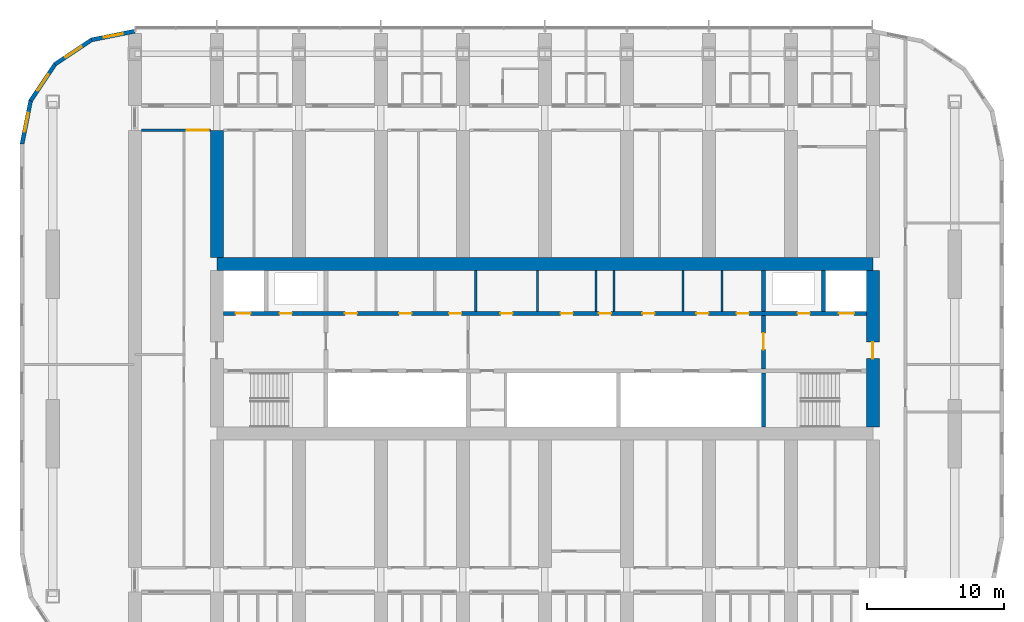
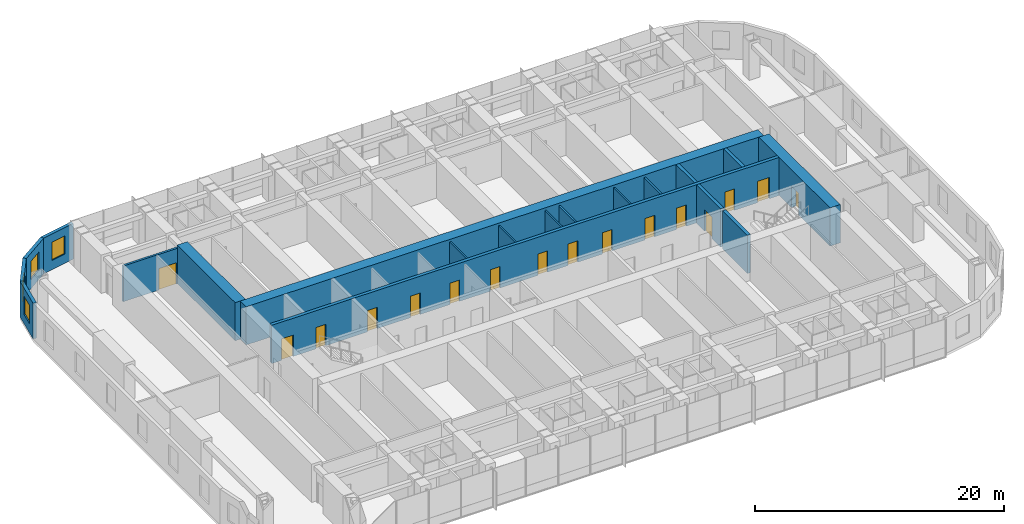
# One storey, part 12 of 21: 19 walls, 16 doors, 4 windows, 20 openings.
"""IFC4 building model written with IfcOpenShell, lengths in metres."""

from ifc_helpers import new_model, si_unit, direction, frame, frame_2d, origin, place, context, subcontext, project, spatial, polyline, rectangle, outline, extrude, material, layer, layer_set, type_object, element, fill, save


model = new_model("IFC4")

# Units and contexts
model_context = context("Model", 3, precision=1e-05, world=origin(), true_north=direction((0.0, 1.0)))
body_context = subcontext(model_context, "Body", "Model", "MODEL_VIEW")
ifc_project = project(units=[si_unit("LENGTHUNIT", "METRE"), si_unit("AREAUNIT", "SQUARE_METRE"), si_unit("VOLUMEUNIT", "CUBIC_METRE"), si_unit("PLANEANGLEUNIT", "RADIAN"), si_unit("MASSUNIT", "GRAM", prefix="KILO")], contexts=[model_context])

# Site, building, storey
site_placement = place(None, origin())
site = spatial("IfcSite", under=ifc_project, at=site_placement, CompositionType="ELEMENT")
building_placement = place(site_placement, origin())
building = spatial("IfcBuilding", under=site, at=building_placement, Name="Orbita Commons", CompositionType="ELEMENT")
storey_placement = place(building_placement, frame((0.0, 0.0, 91.89990234375)))
storey = spatial("IfcBuildingStorey", under=building, at=storey_placement, Name="L22", CompositionType="ELEMENT", Elevation=91.89990234375)

# Wall, openings, doors
ifc_material_1 = material(Name="Concrete C50/60", Category="concrete")
ifc_layer_1 = layer(ifc_material_1, 0.300048828125)
ifc_layer_set_1 = layer_set([ifc_layer_1], Name="Concrete C50/60")
wall_type_1 = type_object("IfcWallType", Name="Core inner wall 300 C50/60", PredefinedType="SHEAR", material=ifc_layer_set_1)
wall_1_placement = place(storey_placement, frame((18.47509765625, 34.60009765625, 0.0), z_axis=(0.0, 0.0, 1.0), x_axis=(1.0, 0.0, 0.0)))
wall_1 = element("IfcWall", 1, at=wall_1_placement, inside=storey, type_object=wall_type_1, Name="Lobby wall north L22", PredefinedType="SHEAR", context=body_context, shape_type="SweptSolid", body=[
    extrude(rectangle(XDim=47.0498046875, YDim=0.300048828125, at=frame_2d((23.52490234375, 0.0))), origin(), (0.0, 0.0, 1.0), 3.75),
])
opening_1_placement = place(wall_1_placement, frame((0.89990234375, 0.0, 0.0)))
opening_1 = element("IfcOpeningElement", 2, at=opening_1_placement, cuts=wall_1, Name="Opening LD01", PredefinedType="OPENING", context=body_context, shape_type="SweptSolid", body=[
    extrude(rectangle(XDim=1.10009765625, YDim=2.10009765625, at=frame_2d((0.550048828125, 1.050048828125))), frame((0.0, 0.159912109375, 0.0), z_axis=(0.0, -1.0, 0.0), x_axis=(1.0, 0.0, 0.0)), (0.0, 0.0, 1.0), 0.320068359375),
])
opening_2_placement = place(wall_1_placement, frame((45.050048828125, 0.0, 0.0)))
opening_2 = element("IfcOpeningElement", 3, at=opening_2_placement, cuts=wall_1, Name="Opening LD01", PredefinedType="OPENING", context=body_context, shape_type="SweptSolid", body=[
    extrude(rectangle(XDim=1.10009765625, YDim=2.10009765625, at=frame_2d((0.550048828125, 1.050048828125))), frame((0.0, 0.159912109375, 0.0), z_axis=(0.0, -1.0, 0.0), x_axis=(1.0, 0.0, 0.0)), (0.0, 0.0, 1.0), 0.320068359375),
])
opening_3_placement = place(wall_1_placement, frame((4.125, 0.0, 0.0)))
opening_3 = element("IfcOpeningElement", 4, at=opening_3_placement, cuts=wall_1, Name="Opening D03", PredefinedType="OPENING", context=body_context, shape_type="SweptSolid", body=[
    extrude(rectangle(XDim=0.89990234375, YDim=2.10009765625, at=frame_2d((0.449951171875, 1.050048828125))), frame((0.0, 0.159912109375, 0.0), z_axis=(0.0, -1.0, 0.0), x_axis=(1.0, 0.0, 0.0)), (0.0, 0.0, 1.0), 0.320068359375),
])
opening_4_placement = place(wall_1_placement, frame((42.02490234375, 0.0, 0.0)))
opening_4 = element("IfcOpeningElement", 5, at=opening_4_placement, cuts=wall_1, Name="Opening D03", PredefinedType="OPENING", context=body_context, shape_type="SweptSolid", body=[
    extrude(rectangle(XDim=0.89990234375, YDim=2.10009765625, at=frame_2d((0.449951171875, 1.050048828125))), frame((0.0, 0.159912109375, 0.0), z_axis=(0.0, -1.0, 0.0), x_axis=(1.0, 0.0, 0.0)), (0.0, 0.0, 1.0), 0.320068359375),
])
opening_5_placement = place(wall_1_placement, frame((8.900390625, 0.0, 0.0)))
opening_5 = element("IfcOpeningElement", 6, at=opening_5_placement, cuts=wall_1, Name="Opening D05", PredefinedType="OPENING", context=body_context, shape_type="SweptSolid", body=[
    extrude(rectangle(XDim=0.89990234375, YDim=2.10009765625, at=frame_2d((0.449951171875, 1.050048828125))), frame((0.0, 0.159912109375, 0.0), z_axis=(0.0, -1.0, 0.0), x_axis=(1.0, 0.0, 0.0)), (0.0, 0.0, 1.0), 0.320068359375),
])
opening_6_placement = place(wall_1_placement, frame((12.873779296875, 0.0, 0.0)))
opening_6 = element("IfcOpeningElement", 7, at=opening_6_placement, cuts=wall_1, Name="Opening D03", PredefinedType="OPENING", context=body_context, shape_type="SweptSolid", body=[
    extrude(rectangle(XDim=0.89990234375, YDim=2.10009765625, at=frame_2d((0.449951171875, 1.050048828125))), frame((0.0, 0.159912109375, 0.0), z_axis=(0.0, -1.0, 0.0), x_axis=(1.0, 0.0, 0.0)), (0.0, 0.0, 1.0), 0.320068359375),
])
opening_7_placement = place(wall_1_placement, frame((16.521240234375, 0.0, 0.0)))
opening_7 = element("IfcOpeningElement", 8, at=opening_7_placement, cuts=wall_1, Name="Opening D03", PredefinedType="OPENING", context=body_context, shape_type="SweptSolid", body=[
    extrude(rectangle(XDim=0.89990234375, YDim=2.10009765625, at=frame_2d((0.449951171875, 1.050048828125))), frame((0.0, 0.159912109375, 0.0), z_axis=(0.0, -1.0, 0.0), x_axis=(1.0, 0.0, 0.0)), (0.0, 0.0, 1.0), 0.320068359375),
])
opening_8_placement = place(wall_1_placement, frame((20.27978515625, 0.0, 0.0)))
opening_8 = element("IfcOpeningElement", 9, at=opening_8_placement, cuts=wall_1, Name="Opening D03", PredefinedType="OPENING", context=body_context, shape_type="SweptSolid", body=[
    extrude(rectangle(XDim=0.89990234375, YDim=2.10009765625, at=frame_2d((0.449951171875, 1.050048828125))), frame((0.0, 0.159912109375, 0.0), z_axis=(0.0, -1.0, 0.0), x_axis=(1.0, 0.0, 0.0)), (0.0, 0.0, 1.0), 0.320068359375),
])
opening_9_placement = place(wall_1_placement, frame((24.685791015625, 0.0, 0.0)))
opening_9 = element("IfcOpeningElement", 10, at=opening_9_placement, cuts=wall_1, Name="Opening D03", PredefinedType="OPENING", context=body_context, shape_type="SweptSolid", body=[
    extrude(rectangle(XDim=0.89990234375, YDim=2.10009765625, at=frame_2d((0.449951171875, 1.050048828125))), frame((0.0, 0.159912109375, 0.0), z_axis=(0.0, -1.0, 0.0), x_axis=(1.0, 0.0, 0.0)), (0.0, 0.0, 1.0), 0.320068359375),
])
opening_10_placement = place(wall_1_placement, frame((27.4833984375, 0.0, 0.0)))
opening_10 = element("IfcOpeningElement", 11, at=opening_10_placement, cuts=wall_1, Name="Opening D03", PredefinedType="OPENING", context=body_context, shape_type="SweptSolid", body=[
    extrude(rectangle(XDim=0.89990234375, YDim=2.10009765625, at=frame_2d((0.449951171875, 1.050048828125))), frame((0.0, 0.159912109375, 0.0), z_axis=(0.0, -1.0, 0.0), x_axis=(1.0, 0.0, 0.0)), (0.0, 0.0, 1.0), 0.320068359375),
])
opening_11_placement = place(wall_1_placement, frame((30.666259765625, 0.0, 0.0)))
opening_11 = element("IfcOpeningElement", 12, at=opening_11_placement, cuts=wall_1, Name="Opening D05", PredefinedType="OPENING", context=body_context, shape_type="SweptSolid", body=[
    extrude(rectangle(XDim=0.89990234375, YDim=2.10009765625, at=frame_2d((0.449951171875, 1.050048828125))), frame((0.0, 0.159912109375, 0.0), z_axis=(0.0, -1.0, 0.0), x_axis=(1.0, 0.0, 0.0)), (0.0, 0.0, 1.0), 0.320068359375),
])
opening_12_placement = place(wall_1_placement, frame((34.6171875, 0.0, 0.0)))
opening_12 = element("IfcOpeningElement", 13, at=opening_12_placement, cuts=wall_1, Name="Opening D03", PredefinedType="OPENING", context=body_context, shape_type="SweptSolid", body=[
    extrude(rectangle(XDim=0.89990234375, YDim=2.10009765625, at=frame_2d((0.449951171875, 1.050048828125))), frame((0.0, 0.159912109375, 0.0), z_axis=(0.0, -1.0, 0.0), x_axis=(1.0, 0.0, 0.0)), (0.0, 0.0, 1.0), 0.320068359375),
])
opening_13_placement = place(wall_1_placement, frame((37.555419921875, 0.0, 0.0)))
opening_13 = element("IfcOpeningElement", 14, at=opening_13_placement, cuts=wall_1, Name="Opening D03", PredefinedType="OPENING", context=body_context, shape_type="SweptSolid", body=[
    extrude(rectangle(XDim=0.89990234375, YDim=2.10009765625, at=frame_2d((0.449951171875, 1.050048828125))), frame((0.0, 0.159912109375, 0.0), z_axis=(0.0, -1.0, 0.0), x_axis=(1.0, 0.0, 0.0)), (0.0, 0.0, 1.0), 0.320068359375),
])
ifc_material_2 = material(Name="Steel-faced fire door leaf", Category="steel")
door_type_1 = type_object("IfcDoorType", Name="Firefighting lift landing door 1100x2100", OperationType="DOUBLE_DOOR_SLIDING", PredefinedType="DOOR", material=ifc_material_2)
door_1_placement = place(opening_1_placement, origin())
door_1 = element("IfcDoor", 15, at=door_1_placement, inside=storey, type_object=door_type_1, Name="Firefighting lift FL1 landing door", OperationType="DOUBLE_DOOR_SLIDING", OverallHeight=2.10009765625, OverallWidth=1.10009765625, PredefinedType="DOOR", context=body_context, shape_type="SweptSolid", body=[
    extrude(rectangle(XDim=1.10009765625, YDim=2.10009765625, at=frame_2d((0.550048828125, 1.050048828125))), frame((0.0, 0.02490234375, 0.0), z_axis=(0.0, -1.0, 0.0), x_axis=(1.0, 0.0, 0.0)), (0.0, 0.0, 1.0), 0.050048828125),
])
fill(opening_1, door_1)
door_2_placement = place(opening_2_placement, origin())
door_2 = element("IfcDoor", 16, at=door_2_placement, inside=storey, type_object=door_type_1, Name="Firefighting lift FL2 landing door", OperationType="DOUBLE_DOOR_SLIDING", OverallHeight=2.10009765625, OverallWidth=1.10009765625, PredefinedType="DOOR", context=body_context, shape_type="SweptSolid", body=[
    extrude(rectangle(XDim=1.10009765625, YDim=2.10009765625, at=frame_2d((0.550048828125, 1.050048828125))), frame((0.0, 0.02490234375, 0.0), z_axis=(0.0, -1.0, 0.0), x_axis=(1.0, 0.0, 0.0)), (0.0, 0.0, 1.0), 0.050048828125),
])
fill(opening_2, door_2)
ifc_material_3 = material(Name="Steel-faced fire door leaf", Category="steel")
door_type_2 = type_object("IfcDoorType", Name="Service door 20 min 900x2100", OperationType="SINGLE_SWING_LEFT", PredefinedType="DOOR", material=ifc_material_3)
door_3_placement = place(opening_5_placement, origin())
door_3 = element("IfcDoor", 17, at=door_3_placement, inside=storey, type_object=door_type_2, Name="Accessible WC door", OperationType="SINGLE_SWING_LEFT", OverallHeight=2.10009765625, OverallWidth=0.89990234375, PredefinedType="DOOR", context=body_context, shape_type="SweptSolid", body=[
    extrude(rectangle(XDim=0.89990234375, YDim=2.10009765625, at=frame_2d((0.449951171875, 1.050048828125))), frame((0.0, 0.02490234375, 0.0), z_axis=(0.0, -1.0, 0.0), x_axis=(1.0, 0.0, 0.0)), (0.0, 0.0, 1.0), 0.050048828125),
])
fill(opening_5, door_3)
door_4_placement = place(opening_11_placement, origin())
door_4 = element("IfcDoor", 18, at=door_4_placement, inside=storey, type_object=door_type_2, Name="Guest pantry door", OperationType="SINGLE_SWING_LEFT", OverallHeight=2.10009765625, OverallWidth=0.89990234375, PredefinedType="DOOR", context=body_context, shape_type="SweptSolid", body=[
    extrude(rectangle(XDim=0.89990234375, YDim=2.10009765625, at=frame_2d((0.449951171875, 1.050048828125))), frame((0.0, 0.02490234375, 0.0), z_axis=(0.0, -1.0, 0.0), x_axis=(1.0, 0.0, 0.0)), (0.0, 0.0, 1.0), 0.050048828125),
])
fill(opening_11, door_4)
ifc_material_4 = material(Name="Steel-faced fire door leaf", Category="steel")
door_type_3 = type_object("IfcDoorType", Name="Shaft access door 90 min 900x2100", OperationType="SINGLE_SWING_LEFT", PredefinedType="DOOR", material=ifc_material_4)
door_5_placement = place(opening_3_placement, origin())
door_5 = element("IfcDoor", 19, at=door_5_placement, inside=storey, type_object=door_type_3, Name="Riser door west", OperationType="SINGLE_SWING_LEFT", OverallHeight=2.10009765625, OverallWidth=0.89990234375, PredefinedType="DOOR", context=body_context, shape_type="SweptSolid", body=[
    extrude(rectangle(XDim=0.89990234375, YDim=2.10009765625, at=frame_2d((0.449951171875, 1.050048828125))), frame((0.0, 0.02490234375, 0.0), z_axis=(0.0, -1.0, 0.0), x_axis=(1.0, 0.0, 0.0)), (0.0, 0.0, 1.0), 0.050048828125),
])
fill(opening_3, door_5)
door_6_placement = place(opening_4_placement, origin())
door_6 = element("IfcDoor", 20, at=door_6_placement, inside=storey, type_object=door_type_3, Name="Riser door east", OperationType="SINGLE_SWING_LEFT", OverallHeight=2.10009765625, OverallWidth=0.89990234375, PredefinedType="DOOR", context=body_context, shape_type="SweptSolid", body=[
    extrude(rectangle(XDim=0.89990234375, YDim=2.10009765625, at=frame_2d((0.449951171875, 1.050048828125))), frame((0.0, 0.02490234375, 0.0), z_axis=(0.0, -1.0, 0.0), x_axis=(1.0, 0.0, 0.0)), (0.0, 0.0, 1.0), 0.050048828125),
])
fill(opening_4, door_6)
door_7_placement = place(opening_6_placement, origin())
door_7 = element("IfcDoor", 21, at=door_7_placement, inside=storey, type_object=door_type_3, Name="Refuse chute room door", OperationType="SINGLE_SWING_LEFT", OverallHeight=2.10009765625, OverallWidth=0.89990234375, PredefinedType="DOOR", context=body_context, shape_type="SweptSolid", body=[
    extrude(rectangle(XDim=0.89990234375, YDim=2.10009765625, at=frame_2d((0.449951171875, 1.050048828125))), frame((0.0, 0.02490234375, 0.0), z_axis=(0.0, -1.0, 0.0), x_axis=(1.0, 0.0, 0.0)), (0.0, 0.0, 1.0), 0.050048828125),
])
fill(opening_6, door_7)
door_8_placement = place(opening_7_placement, origin())
door_8 = element("IfcDoor", 22, at=door_8_placement, inside=storey, type_object=door_type_3, Name="Electrical riser room door", OperationType="SINGLE_SWING_LEFT", OverallHeight=2.10009765625, OverallWidth=0.89990234375, PredefinedType="DOOR", context=body_context, shape_type="SweptSolid", body=[
    extrude(rectangle(XDim=0.89990234375, YDim=2.10009765625, at=frame_2d((0.449951171875, 1.050048828125))), frame((0.0, 0.02490234375, 0.0), z_axis=(0.0, -1.0, 0.0), x_axis=(1.0, 0.0, 0.0)), (0.0, 0.0, 1.0), 0.050048828125),
])
fill(opening_7, door_8)
door_9_placement = place(opening_8_placement, origin())
door_9 = element("IfcDoor", 23, at=door_9_placement, inside=storey, type_object=door_type_3, Name="IT room door", OperationType="SINGLE_SWING_LEFT", OverallHeight=2.10009765625, OverallWidth=0.89990234375, PredefinedType="DOOR", context=body_context, shape_type="SweptSolid", body=[
    extrude(rectangle(XDim=0.89990234375, YDim=2.10009765625, at=frame_2d((0.449951171875, 1.050048828125))), frame((0.0, 0.02490234375, 0.0), z_axis=(0.0, -1.0, 0.0), x_axis=(1.0, 0.0, 0.0)), (0.0, 0.0, 1.0), 0.050048828125),
])
fill(opening_8, door_9)
door_10_placement = place(opening_9_placement, origin())
door_10 = element("IfcDoor", 24, at=door_10_placement, inside=storey, type_object=door_type_3, Name="Communications room door", OperationType="SINGLE_SWING_LEFT", OverallHeight=2.10009765625, OverallWidth=0.89990234375, PredefinedType="DOOR", context=body_context, shape_type="SweptSolid", body=[
    extrude(rectangle(XDim=0.89990234375, YDim=2.10009765625, at=frame_2d((0.449951171875, 1.050048828125))), frame((0.0, 0.02490234375, 0.0), z_axis=(0.0, -1.0, 0.0), x_axis=(1.0, 0.0, 0.0)), (0.0, 0.0, 1.0), 0.050048828125),
])
fill(opening_9, door_10)
door_11_placement = place(opening_10_placement, origin())
door_11 = element("IfcDoor", 25, at=door_11_placement, inside=storey, type_object=door_type_3, Name="Stair pressurisation duct door", OperationType="SINGLE_SWING_LEFT", OverallHeight=2.10009765625, OverallWidth=0.89990234375, PredefinedType="DOOR", context=body_context, shape_type="SweptSolid", body=[
    extrude(rectangle(XDim=0.89990234375, YDim=2.10009765625, at=frame_2d((0.449951171875, 1.050048828125))), frame((0.0, 0.02490234375, 0.0), z_axis=(0.0, -1.0, 0.0), x_axis=(1.0, 0.0, 0.0)), (0.0, 0.0, 1.0), 0.050048828125),
])
fill(opening_10, door_11)
door_12_placement = place(opening_12_placement, origin())
door_12 = element("IfcDoor", 26, at=door_12_placement, inside=storey, type_object=door_type_3, Name="Linen store door", OperationType="SINGLE_SWING_LEFT", OverallHeight=2.10009765625, OverallWidth=0.89990234375, PredefinedType="DOOR", context=body_context, shape_type="SweptSolid", body=[
    extrude(rectangle(XDim=0.89990234375, YDim=2.10009765625, at=frame_2d((0.449951171875, 1.050048828125))), frame((0.0, 0.02490234375, 0.0), z_axis=(0.0, -1.0, 0.0), x_axis=(1.0, 0.0, 0.0)), (0.0, 0.0, 1.0), 0.050048828125),
])
fill(opening_12, door_12)
door_13_placement = place(opening_13_placement, origin())
door_13 = element("IfcDoor", 27, at=door_13_placement, inside=storey, type_object=door_type_3, Name="Cleaners store door", OperationType="SINGLE_SWING_LEFT", OverallHeight=2.10009765625, OverallWidth=0.89990234375, PredefinedType="DOOR", context=body_context, shape_type="SweptSolid", body=[
    extrude(rectangle(XDim=0.89990234375, YDim=2.10009765625, at=frame_2d((0.449951171875, 1.050048828125))), frame((0.0, 0.02490234375, 0.0), z_axis=(0.0, -1.0, 0.0), x_axis=(1.0, 0.0, 0.0)), (0.0, 0.0, 1.0), 0.050048828125),
])
fill(opening_13, door_13)

# Wall
wall_2_placement = place(storey_placement, frame((58.0, 26.27490234375, 0.0), z_axis=(0.0, 0.0, 1.0), x_axis=(0.0, 1.0, 0.0)))
element("IfcWall", 28, at=wall_2_placement, inside=storey, type_object=wall_type_1, Name="Stair S2 wall L22", PredefinedType="SHEAR", context=body_context, shape_type="SweptSolid", body=[
    extrude(rectangle(XDim=3.97509765625, YDim=0.300048828125, at=frame_2d((1.987548828125, 0.0))), origin(), (0.0, 0.0, 1.0), 3.75),
])

# Wall, opening, door
wall_3_placement = place(storey_placement, frame((58.0, 30.550048828125, 0.0), z_axis=(0.0, 0.0, 1.0), x_axis=(0.0, 1.0, 0.0)))
wall_3 = element("IfcWall", 29, at=wall_3_placement, inside=storey, type_object=wall_type_1, Name="Firefighting lobby wall east L22", PredefinedType="SHEAR", context=body_context, shape_type="SweptSolid", body=[
    extrude(rectangle(XDim=3.89990234375, YDim=0.300048828125, at=frame_2d((1.949951171875, 0.0))), origin(), (0.0, 0.0, 1.0), 3.75),
])
opening_14_placement = place(wall_3_placement, frame((1.39990234375, 0.0, 0.0)))
opening_14 = element("IfcOpeningElement", 30, at=opening_14_placement, cuts=wall_3, Name="Opening D04", PredefinedType="OPENING", context=body_context, shape_type="SweptSolid", body=[
    extrude(rectangle(XDim=1.199951171875, YDim=2.10009765625, at=frame_2d((0.60009765625, 1.050048828125))), frame((0.0, 0.159912109375, 0.0), z_axis=(0.0, -1.0, 0.0), x_axis=(1.0, 0.0, 0.0)), (0.0, 0.0, 1.0), 0.320068359375),
])
ifc_material_5 = material(Name="Steel-faced fire door leaf", Category="steel")
door_type_4 = type_object("IfcDoorType", Name="Service door 20 min 1200x2100", OperationType="SINGLE_SWING_LEFT", PredefinedType="DOOR", material=ifc_material_5)
door_14_placement = place(opening_14_placement, origin())
door_14 = element("IfcDoor", 31, at=door_14_placement, inside=storey, type_object=door_type_4, Name="Lift lobby door east", OperationType="SINGLE_SWING_LEFT", OverallHeight=2.10009765625, OverallWidth=1.199951171875, PredefinedType="DOOR", context=body_context, shape_type="SweptSolid", body=[
    extrude(rectangle(XDim=1.199951171875, YDim=2.10009765625, at=frame_2d((0.60009765625, 1.050048828125))), frame((0.0, 0.02490234375, 0.0), z_axis=(0.0, -1.0, 0.0), x_axis=(1.0, 0.0, 0.0)), (0.0, 0.0, 1.0), 0.050048828125),
])
fill(opening_14, door_14)

# Walls
for number, where, z_axis, x_axis, name in (
    (32, (62.39990234375, 34.75, 0.0), (0.0, 0.0, 1.0), (0.0, 1.0, 0.0), "Firefighting lift FL2 shaft wall L22"),
    (33, (58.0, 34.75, 0.0), (0.0, 0.0, 1.0), (0.0, 1.0, 0.0), "Riser wall east L22"),
):
    element("IfcWall", number, at=place(storey_placement, frame(where, z_axis=z_axis, x_axis=x_axis)), inside=storey, type_object=wall_type_1, Name=name, PredefinedType="SHEAR", context=body_context, shape_type="SweptSolid", body=[
        extrude(rectangle(XDim=2.97509765625, YDim=0.300048828125, at=frame_2d((1.487548828125, 0.0))), origin(), (0.0, 0.0, 1.0), 3.75),
    ])
ifc_material_6 = material(Name="Concrete blockwork", Category="masonry")
ifc_layer_2 = layer(ifc_material_6, 0.14990234375)
ifc_layer_set_2 = layer_set([ifc_layer_2], Name="Concrete blockwork")
wall_type_2 = type_object("IfcWallType", Name="Core partition 150 blockwork", PredefinedType="SOLIDWALL", material=ifc_layer_set_2)
for number, where, z_axis, x_axis, name in (
    (34, (36.9462890625, 34.75, 0.0), (0.0, 0.0, 1.0), (0.0, 1.0, 0.0), "Core partition 150 blockwork L22"),
    (35, (41.463134765625, 34.75, 0.0), (0.0, 0.0, 1.0), (0.0, 1.0, 0.0), "Core partition 150 blockwork L22"),
    (36, (45.75830078125, 34.75, 0.0), (0.0, 0.0, 1.0), (0.0, 1.0, 0.0), "Core partition 150 blockwork L22"),
    (37, (47.058349609375, 34.75, 0.0), (0.0, 0.0, 1.0), (0.0, 1.0, 0.0), "Core partition 150 blockwork L22"),
    (38, (52.123779296875, 34.75, 0.0), (0.0, 0.0, 1.0), (0.0, 1.0, 0.0), "Core partition 150 blockwork L22"),
    (39, (54.960693359375, 34.75, 0.0), (0.0, 0.0, 1.0), (0.0, 1.0, 0.0), "Core partition 150 blockwork L22"),
):
    element("IfcWall", number, at=place(storey_placement, frame(where, z_axis=z_axis, x_axis=x_axis)), inside=storey, type_object=wall_type_2, Name=name, PredefinedType="SOLIDWALL", context=body_context, shape_type="SweptSolid", body=[
        extrude(rectangle(XDim=2.97509765625, YDim=0.14990234375, at=frame_2d((1.487548828125, 0.0))), origin(), (0.0, 0.0, 1.0), 3.5),
    ])
ifc_material_7 = material(Name="Concrete C50/60", Category="concrete")
ifc_layer_3 = layer(ifc_material_7, 0.949951171875)
ifc_layer_set_3 = layer_set([ifc_layer_3], Name="Concrete C50/60")
wall_type_3 = type_object("IfcWallType", Name="Core wall 950 C50/60", PredefinedType="SHEAR", material=ifc_layer_set_3)
wall_4_placement = place(storey_placement, frame((18.0, 38.199951171875, 0.0), z_axis=(0.0, 0.0, 1.0), x_axis=(1.0, 0.0, 0.0)))
element("IfcWall", 40, at=wall_4_placement, inside=storey, type_object=wall_type_3, Name="Core spine wall north L22", PredefinedType="SHEAR", context=body_context, shape_type="SweptSolid", body=[
    extrude(rectangle(XDim=48.0, YDim=0.949951171875, at=frame_2d((24.0, 0.0))), origin(), (0.0, 0.0, 1.0), 3.75),
])

# Wall, opening, door
wall_5_placement = place(storey_placement, frame((66.0, 26.27490234375, 0.0), z_axis=(0.0, 0.0, 1.0), x_axis=(0.0, 1.0, 0.0)))
wall_5 = element("IfcWall", 41, at=wall_5_placement, inside=storey, type_object=wall_type_3, Name="Core end wall east L22", PredefinedType="SHEAR", context=body_context, shape_type="SweptSolid", body=[
    extrude(rectangle(XDim=11.4501953125, YDim=0.949951171875, at=frame_2d((5.72509765625, 0.0))), origin(), (0.0, 0.0, 1.0), 3.75),
])
opening_15_placement = place(wall_5_placement, frame((5.02490234375, 0.0, 0.0)))
opening_15 = element("IfcOpeningElement", 42, at=opening_15_placement, cuts=wall_5, Name="Opening D01", PredefinedType="OPENING", context=body_context, shape_type="SweptSolid", body=[
    extrude(rectangle(XDim=1.199951171875, YDim=2.10009765625, at=frame_2d((0.60009765625, 1.050048828125))), frame((0.0, 0.48486328125, 0.0), z_axis=(0.0, -1.0, 0.0), x_axis=(1.0, 0.0, 0.0)), (0.0, 0.0, 1.0), 0.969970703125),
])
ifc_material_8 = material(Name="Steel-faced fire door leaf", Category="steel")
door_type_5 = type_object("IfcDoorType", Name="Fire door 90 min 1200x2100", OperationType="SINGLE_SWING_LEFT", PredefinedType="DOOR", material=ifc_material_8)
door_15_placement = place(opening_15_placement, origin())
door_15 = element("IfcDoor", 43, at=door_15_placement, inside=storey, type_object=door_type_5, Name="Firefighting lobby east door", OperationType="SINGLE_SWING_LEFT", OverallHeight=2.10009765625, OverallWidth=1.199951171875, PredefinedType="DOOR", context=body_context, shape_type="SweptSolid", body=[
    extrude(rectangle(XDim=1.199951171875, YDim=2.10009765625, at=frame_2d((0.60009765625, 1.050048828125))), frame((0.0, 0.02490234375, 0.0), z_axis=(0.0, -1.0, 0.0), x_axis=(1.0, 0.0, 0.0)), (0.0, 0.0, 1.0), 0.050048828125),
])
fill(opening_15, door_15)

ifc_material_9 = material(Name="Hollow concrete block 200", Category="concrete")
ifc_layer_4 = layer(ifc_material_9, 0.199951171875)
ifc_layer_set_4 = layer_set([ifc_layer_4], Name="Hollow concrete block 200")
wall_type_4 = type_object("IfcWallType", Name="Corridor wall 200 hollow concrete block", PredefinedType="SOLIDWALL", material=ifc_layer_set_4)
wall_6_placement = place(storey_placement, frame((12.47509765625, 48.0, 0.0), z_axis=(0.0, 0.0, 1.0), x_axis=(1.0, 0.0, 0.0)))
wall_6 = element("IfcWall", 44, at=wall_6_placement, inside=storey, type_object=wall_type_4, Name="Corridor wall 200 hollow concrete block L22", PredefinedType="SOLIDWALL", context=body_context, shape_type="SweptSolid", body=[
    extrude(rectangle(XDim=5.0498046875, YDim=0.199951171875, at=frame_2d((2.52490234375, 0.0))), origin(), (0.0, 0.0, 1.0), 3.5),
])
opening_16_placement = place(wall_6_placement, frame((3.324951171875, 0.0, 0.0)))
opening_16 = element("IfcOpeningElement", 45, at=opening_16_placement, cuts=wall_6, Name="Opening D10", PredefinedType="OPENING", context=body_context, shape_type="SweptSolid", body=[
    extrude(rectangle(XDim=1.60009765625, YDim=2.10009765625, at=frame_2d((0.800048828125, 1.050048828125))), frame((0.0, 0.10986328125, 0.0), z_axis=(0.0, -1.0, 0.0), x_axis=(1.0, 0.0, 0.0)), (0.0, 0.0, 1.0), 0.219970703125),
])
ifc_material_10 = material(Name="Steel-faced fire door leaf", Category="steel")
door_type_6 = type_object("IfcDoorType", Name="Double corridor door 20 min 1600x2100", OperationType="DOUBLE_DOOR_SINGLE_SWING", PredefinedType="DOOR", material=ifc_material_10)
door_16_placement = place(opening_16_placement, origin())
door_16 = element("IfcDoor", 46, at=door_16_placement, inside=storey, type_object=door_type_6, Name="Cross corridor doors", OperationType="DOUBLE_DOOR_SINGLE_SWING", OverallHeight=2.10009765625, OverallWidth=1.60009765625, PredefinedType="DOOR", context=body_context, shape_type="SweptSolid", body=[
    extrude(rectangle(XDim=1.60009765625, YDim=2.10009765625, at=frame_2d((0.800048828125, 1.050048828125))), frame((0.0, 0.02490234375, 0.0), z_axis=(0.0, -1.0, 0.0), x_axis=(1.0, 0.0, 0.0)), (0.0, 0.0, 1.0), 0.050048828125),
])
fill(opening_16, door_16)

# Wall
ifc_material_11 = material(Name="Concrete C50/60", Category="concrete")
ifc_layer_5 = layer(ifc_material_11, 0.949951171875)
ifc_layer_set_5 = layer_set([ifc_layer_5], Name="Concrete C50/60")
wall_type_5 = type_object("IfcWallType", Name="Cross wall 950 C50/60", PredefinedType="SHEAR", material=ifc_layer_set_5)
wall_7_placement = place(storey_placement, frame((18.0, 38.675048828125, 0.0), z_axis=(0.0, 0.0, 1.0), x_axis=(0.0, 1.0, 0.0)))
element("IfcWall", 47, at=wall_7_placement, inside=storey, type_object=wall_type_5, Name="Cross wall 4 north inner L22", PredefinedType="SHEAR", context=body_context, shape_type="SweptSolid", body=[
    extrude(rectangle(XDim=9.324951171875, YDim=0.949951171875, at=frame_2d((4.66259765625, 0.0))), origin(), (0.0, 0.0, 1.0), 3.75),
])

# Wall, opening, window
ifc_material_12 = material(Name="Precast concrete C40/50, white board-marked finish", Category="concrete")
ifc_layer_6 = layer(ifc_material_12, 0.300048828125)
ifc_layer_set_6 = layer_set([ifc_layer_6], Name="Precast concrete C40/50, white board-marked finish")
wall_type_6 = type_object("IfcWallType", Name="Precast concrete end shield 300", PredefinedType="SOLIDWALL", material=ifc_layer_set_6)
wall_8_placement = place(storey_placement, frame((12.0, 55.25, 0.0), z_axis=(0.0, 0.0, 1.0), x_axis=(-0.980787251524, -0.195080412259, 0.0)))
wall_8 = element("IfcWall", 48, at=wall_8_placement, inside=storey, type_object=wall_type_6, Name="End shield NW chord 1 L22", PredefinedType="SOLIDWALL", context=body_context, shape_type="SweptSolid", body=[
    extrude(outline(polyline([(-0.02978515625, -0.14990234375), (3.24853515625, -0.14990234375), (3.18896484375, 0.14990234375), (0.02978515625, 0.14990234375), (-0.02978515625, -0.14990234375)])), origin(), (0.0, 0.0, 1.0), 3.5),
])
opening_17_placement = place(wall_8_placement, frame((0.909423828125, 0.0, 0.89990234375)))
opening_17 = element("IfcOpeningElement", 49, at=opening_17_placement, cuts=wall_8, Name="Opening W02", PredefinedType="OPENING", context=body_context, shape_type="SweptSolid", body=[
    extrude(rectangle(XDim=1.39990234375, YDim=1.800048828125, at=frame_2d((0.699951171875, 0.89990234375))), frame((0.0, 0.159912109375, 0.0), z_axis=(0.0, -1.0, 0.0), x_axis=(1.0, 0.0, 0.0)), (0.0, 0.0, 1.0), 0.320068359375),
])
ifc_material_13 = material(Name="Aluminium frame, clear double glazing", Category="aluminium")
window_type = type_object("IfcWindowType", Name="Deep-set window 1400x1800", PartitioningType="SINGLE_PANEL", PredefinedType="WINDOW", material=ifc_material_13)
window_1_placement = place(opening_17_placement, origin())
window_1 = element("IfcWindow", 50, at=window_1_placement, inside=storey, type_object=window_type, Name="Window L22-NW0", OverallHeight=1.800048828125, OverallWidth=1.39990234375, PartitioningType="SINGLE_PANEL", PredefinedType="WINDOW", context=body_context, shape_type="SweptSolid", body=[
    extrude(rectangle(XDim=1.39990234375, YDim=1.800048828125, at=frame_2d((0.699951171875, 0.89990234375))), frame((0.0, 0.030029296875, 0.0), z_axis=(0.0, -1.0, 0.0), x_axis=(1.0, 0.0, 0.0)), (0.0, 0.0, 1.0), 0.06005859375),
])
fill(opening_17, window_1)

wall_9_placement = place(storey_placement, frame((8.843017578125, 54.6220703125, 0.0), z_axis=(0.0, 0.0, 1.0), x_axis=(-0.831443069936, -0.555609954424, 0.0)))
wall_9 = element("IfcWall", 51, at=wall_9_placement, inside=storey, type_object=wall_type_6, Name="End shield NW chord 2 L22", PredefinedType="SOLIDWALL", context=body_context, shape_type="SweptSolid", body=[
    extrude(outline(polyline([(-0.02978515625, -0.14990234375), (3.2490234375, -0.14990234375), (3.189453125, 0.14990234375), (0.02978515625, 0.14990234375), (-0.02978515625, -0.14990234375)])), origin(), (0.0, 0.0, 1.0), 3.5),
])
opening_18_placement = place(wall_9_placement, frame((0.909423828125, 0.0, 0.89990234375)))
opening_18 = element("IfcOpeningElement", 52, at=opening_18_placement, cuts=wall_9, Name="Opening W02", PredefinedType="OPENING", context=body_context, shape_type="SweptSolid", body=[
    extrude(rectangle(XDim=1.39990234375, YDim=1.800048828125, at=frame_2d((0.699951171875, 0.89990234375))), frame((0.0, 0.159912109375, 0.0), z_axis=(0.0, -1.0, 0.0), x_axis=(1.0, 0.0, 0.0)), (0.0, 0.0, 1.0), 0.320068359375),
])
window_2_placement = place(opening_18_placement, origin())
window_2 = element("IfcWindow", 53, at=window_2_placement, inside=storey, type_object=window_type, Name="Window L22-NW1", OverallHeight=1.800048828125, OverallWidth=1.39990234375, PartitioningType="SINGLE_PANEL", PredefinedType="WINDOW", context=body_context, shape_type="SweptSolid", body=[
    extrude(rectangle(XDim=1.39990234375, YDim=1.800048828125, at=frame_2d((0.699951171875, 0.89990234375))), frame((0.0, 0.030029296875, 0.0), z_axis=(0.0, -1.0, 0.0), x_axis=(1.0, 0.0, 0.0)), (0.0, 0.0, 1.0), 0.06005859375),
])
fill(opening_18, window_2)

wall_10_placement = place(storey_placement, frame((6.16650390625, 52.83349609375, 0.0), z_axis=(0.0, 0.0, 1.0), x_axis=(-0.555609954424, -0.831443069936, 0.0)))
wall_10 = element("IfcWall", 54, at=wall_10_placement, inside=storey, type_object=wall_type_6, Name="End shield NW chord 3 L22", PredefinedType="SOLIDWALL", context=body_context, shape_type="SweptSolid", body=[
    extrude(outline(polyline([(-0.02978515625, -0.14990234375), (3.2490234375, -0.14990234375), (3.189453125, 0.14990234375), (0.02978515625, 0.14990234375), (-0.02978515625, -0.14990234375)])), origin(), (0.0, 0.0, 1.0), 3.5),
])
opening_19_placement = place(wall_10_placement, frame((0.909423828125, 0.0, 0.89990234375)))
opening_19 = element("IfcOpeningElement", 55, at=opening_19_placement, cuts=wall_10, Name="Opening W02", PredefinedType="OPENING", context=body_context, shape_type="SweptSolid", body=[
    extrude(rectangle(XDim=1.39990234375, YDim=1.800048828125, at=frame_2d((0.699951171875, 0.89990234375))), frame((0.0, 0.159912109375, 0.0), z_axis=(0.0, -1.0, 0.0), x_axis=(1.0, 0.0, 0.0)), (0.0, 0.0, 1.0), 0.320068359375),
])
window_3_placement = place(opening_19_placement, origin())
window_3 = element("IfcWindow", 56, at=window_3_placement, inside=storey, type_object=window_type, Name="Window L22-NW2", OverallHeight=1.800048828125, OverallWidth=1.39990234375, PartitioningType="SINGLE_PANEL", PredefinedType="WINDOW", context=body_context, shape_type="SweptSolid", body=[
    extrude(rectangle(XDim=1.39990234375, YDim=1.800048828125, at=frame_2d((0.699951171875, 0.89990234375))), frame((0.0, 0.030029296875, 0.0), z_axis=(0.0, -1.0, 0.0), x_axis=(1.0, 0.0, 0.0)), (0.0, 0.0, 1.0), 0.06005859375),
])
fill(opening_19, window_3)

wall_11_placement = place(storey_placement, frame((4.3779296875, 50.156982421875, 0.0), z_axis=(0.0, 0.0, 1.0), x_axis=(-0.195080412259, -0.980787251524, 0.0)))
wall_11 = element("IfcWall", 57, at=wall_11_placement, inside=storey, type_object=wall_type_6, Name="End shield NW chord 4 L22", PredefinedType="SOLIDWALL", context=body_context, shape_type="SweptSolid", body=[
    extrude(outline(polyline([(-0.02978515625, -0.14990234375), (3.233642578125, -0.14990234375), (3.203857421875, 0.14990234375), (0.02978515625, 0.14990234375), (-0.02978515625, -0.14990234375)])), origin(), (0.0, 0.0, 1.0), 3.5),
])
opening_20_placement = place(wall_11_placement, frame((0.909423828125, 0.0, 0.89990234375)))
opening_20 = element("IfcOpeningElement", 58, at=opening_20_placement, cuts=wall_11, Name="Opening W02", PredefinedType="OPENING", context=body_context, shape_type="SweptSolid", body=[
    extrude(rectangle(XDim=1.39990234375, YDim=1.800048828125, at=frame_2d((0.699951171875, 0.89990234375))), frame((0.0, 0.159912109375, 0.0), z_axis=(0.0, -1.0, 0.0), x_axis=(1.0, 0.0, 0.0)), (0.0, 0.0, 1.0), 0.320068359375),
])
window_4_placement = place(opening_20_placement, origin())
window_4 = element("IfcWindow", 59, at=window_4_placement, inside=storey, type_object=window_type, Name="Window L22-NW3", OverallHeight=1.800048828125, OverallWidth=1.39990234375, PartitioningType="SINGLE_PANEL", PredefinedType="WINDOW", context=body_context, shape_type="SweptSolid", body=[
    extrude(rectangle(XDim=1.39990234375, YDim=1.800048828125, at=frame_2d((0.699951171875, 0.89990234375))), frame((0.0, 0.030029296875, 0.0), z_axis=(0.0, -1.0, 0.0), x_axis=(1.0, 0.0, 0.0)), (0.0, 0.0, 1.0), 0.06005859375),
])
fill(opening_20, window_4)

save(model, "model.ifc")
